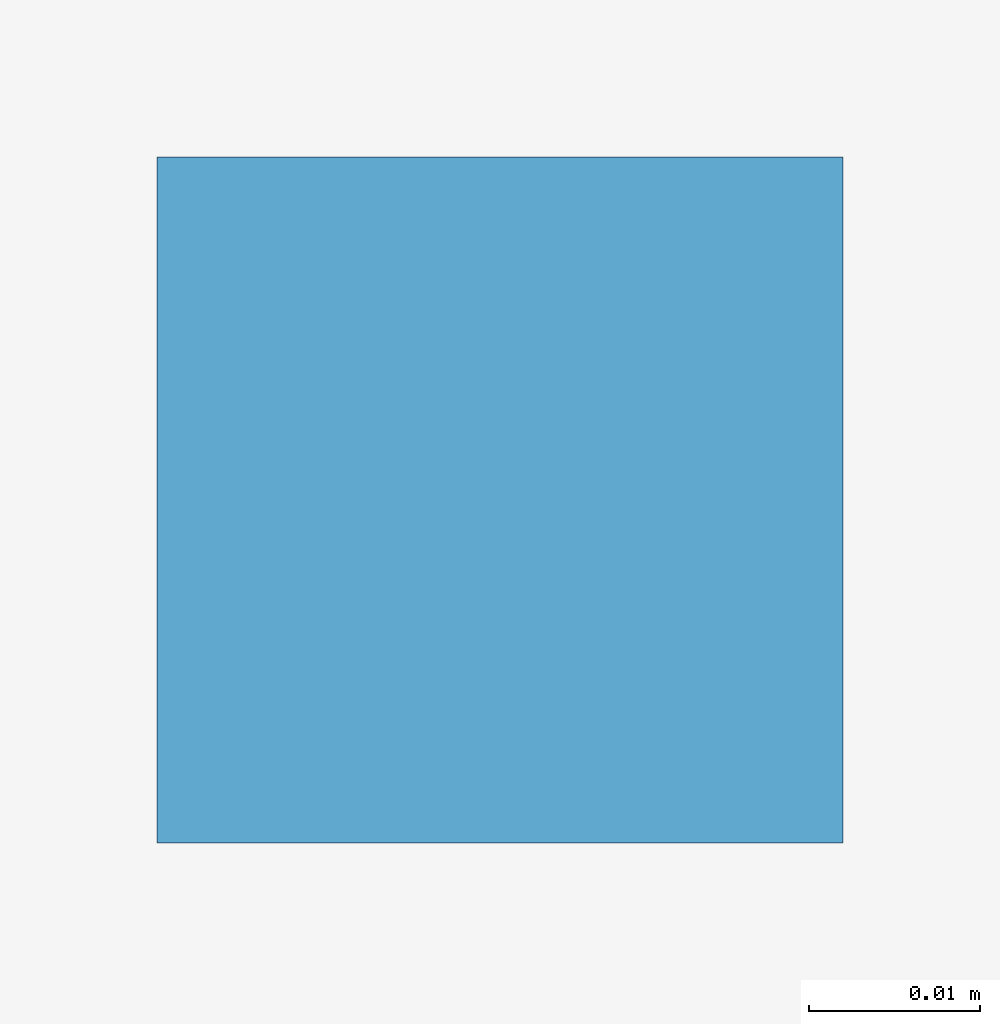
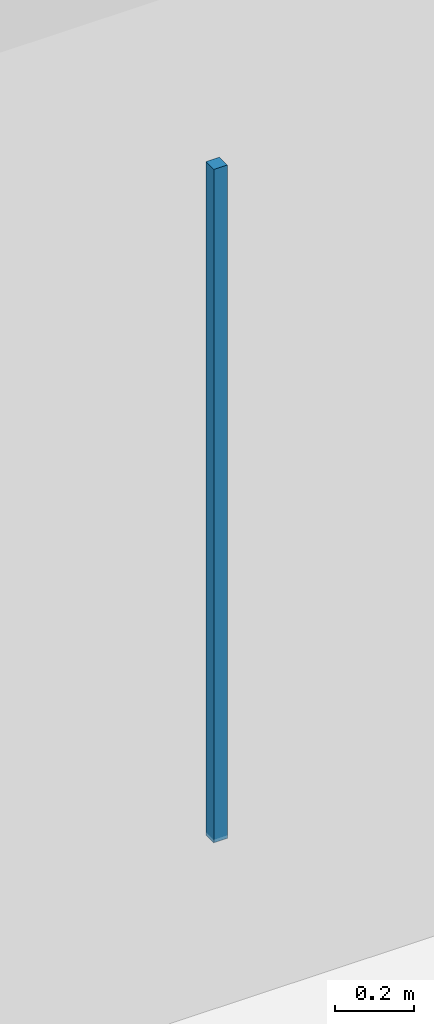
# One storey, part 88 of 167: 1 discrete accessory.
"""IFC4 building model written with IfcOpenShell, lengths in metres."""

from ifc_helpers import new_model, si_unit, direction, frame, origin, origin_2d, place, context, subcontext, project, spatial, rectangle, extrude, material, type_object, element, save


model = new_model("IFC4")

# Units and contexts
model_context = context("Model", 3, precision=1e-05, world=origin(), true_north=direction((0.0, 1.0)))
body_context = subcontext(model_context, "Body", "Model", "MODEL_VIEW")
ifc_project = project(units=[si_unit("LENGTHUNIT", "METRE"), si_unit("AREAUNIT", "SQUARE_METRE"), si_unit("VOLUMEUNIT", "CUBIC_METRE"), si_unit("PLANEANGLEUNIT", "RADIAN"), si_unit("MASSUNIT", "GRAM", prefix="KILO")], contexts=[model_context])

# Site, building, storey
site_placement = place(None, origin())
site = spatial("IfcSite", under=ifc_project, at=site_placement, CompositionType="ELEMENT")
building_placement = place(site_placement, origin())
building = spatial("IfcBuilding", under=site, at=building_placement, Name="Varncliffe General Hospital", CompositionType="ELEMENT")
storey_placement = place(building_placement, origin())
storey = spatial("IfcBuildingStorey", under=building, at=storey_placement, Name="L00", CompositionType="ELEMENT", Elevation=0.0)

# Discrete accessory
ifc_material = material(Name="Powder-coated hospital steel guardrail and handrail", Category="steel")
discrete_accessory_type = type_object("IfcDiscreteAccessoryType", Name="Suspended Ceiling Hanger Bracket CH01", PredefinedType="BRACKET", material=ifc_material)
discrete_accessory_placement = place(storey_placement, frame((20.60009765625, 61.242431640625, 3.18994140625), z_axis=(0.0, 0.0, 1.0), x_axis=(1.0, 0.0, 0.0)))
element("IfcDiscreteAccessory", 1, at=discrete_accessory_placement, inside=storey, type_object=discrete_accessory_type, Name="L00 Suspended Ceiling Hanger 32", PredefinedType="BRACKET", context=body_context, shape_type="SweptSolid", body=[
    extrude(rectangle(XDim=0.0400390625, YDim=0.0400390625, at=origin_2d()), origin(), (0.0, 0.0, 1.0), 2.090087890625),
])

save(model, "model.ifc")
